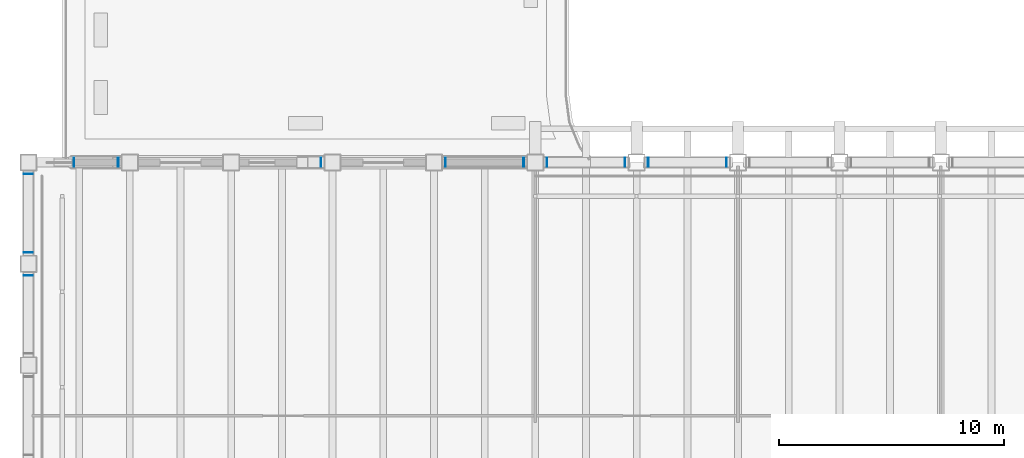
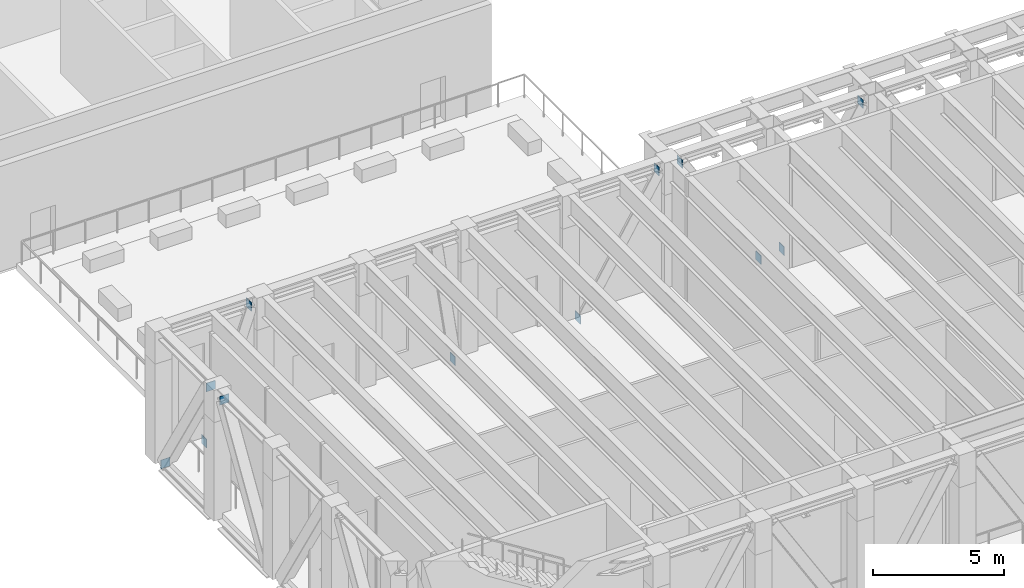
# One storey, part 7 of 20: 12 plates.
"""IFC4 building model written with IfcOpenShell, lengths in metres."""

from ifc_helpers import new_model, si_unit, direction, frame, origin, origin_2d, place, context, subcontext, project, spatial, rectangle, extrude, material, layer, layer_set, type_object, element, save


model = new_model("IFC4")

# Units and contexts
model_context = context("Model", 3, precision=1e-05, world=origin(), true_north=direction((0.0, 1.0)))
body_context = subcontext(model_context, "Body", "Model", "MODEL_VIEW")
ifc_project = project(units=[si_unit("LENGTHUNIT", "METRE"), si_unit("AREAUNIT", "SQUARE_METRE"), si_unit("VOLUMEUNIT", "CUBIC_METRE"), si_unit("PLANEANGLEUNIT", "RADIAN"), si_unit("MASSUNIT", "GRAM", prefix="KILO")], contexts=[model_context])

# Site, building, storey
site_placement = place(None, origin())
site = spatial("IfcSite", under=ifc_project, at=site_placement, CompositionType="ELEMENT")
building_placement = place(site_placement, origin())
building = spatial("IfcBuilding", under=site, at=building_placement, Name="Sennacour Bend Tower", CompositionType="ELEMENT")
storey_placement = place(building_placement, frame((0.0, 0.0, 243.0)))
storey = spatial("IfcBuildingStorey", under=building, at=storey_placement, Name="L56", CompositionType="ELEMENT", Elevation=243.0)

# Plates
ifc_material = material(Name="Steel ASTM A572 Grade 50", Category="steel")
ifc_layer = layer(ifc_material, 0.02490234375, Name="Steel ASTM A572 Grade 50", Category="steel")
ifc_layer_set = layer_set([ifc_layer], Name="Steel ASTM A572 Grade 50")
plate_type = type_object("IfcPlateType", Name="Connection end plate 25", PredefinedType="USERDEFINED", material=ifc_layer_set)
for number, where, z_axis, x_axis, name in (
    (1, (0.0, 17.487548828125, 5.195068359375), (0.0, 0.0, 1.0), (0.0, 1.0, 0.0), "Connection end plate CEP 25"),
    (2, (0.0, 18.512451171875, 5.195068359375), (0.0, 0.0, 1.0), (0.0, -1.0, 0.0), "Connection end plate CEP 25"),
    (3, (0.0, 21.987548828125, -0.5), (0.0, 0.0, 1.0), (0.0, 1.0, 0.0), "Connection end plate CEP 25"),
    (4, (2.012451171875, 22.5, -0.5), (0.0, 0.0, 1.0), (-1.0, 0.0, 0.0), "Connection end plate CEP 25"),
    (5, (3.987548828125, 22.5, 5.195068359375), (0.0, 0.0, 1.0), (1.0, 0.0, 0.0), "Connection end plate CEP 25"),
    (6, (12.987548828125, 22.5, -0.5), (0.0, 0.0, 1.0), (1.0, 0.0, 0.0), "Connection end plate CEP 25"),
    (7, (18.512451171875, 22.5, -0.5), (0.0, 0.0, 1.0), (-1.0, 0.0, 0.0), "Connection end plate CEP 25"),
    (8, (21.987548828125, 22.5, 5.195068359375), (0.0, 0.0, 1.0), (1.0, 0.0, 0.0), "Connection end plate CEP 25"),
    (9, (23.012451171875, 22.5, 5.195068359375), (0.0, 0.0, 1.0), (-1.0, 0.0, 0.0), "Connection end plate CEP 25"),
    (10, (26.487548828125, 22.5, -0.5), (0.0, 0.0, 1.0), (1.0, 0.0, 0.0), "Connection end plate CEP 25"),
    (11, (27.512451171875, 22.5, -0.449951171875), (0.0, 0.0, 1.0), (-1.0, 0.0, 0.0), "Connection end plate CEP 25"),
    (12, (30.987548828125, 22.5, 5.195068359375), (0.0, 0.0, 1.0), (1.0, 0.0, 0.0), "Connection end plate CEP 25"),
):
    element("IfcPlate", number, at=place(storey_placement, frame(where, z_axis=z_axis, x_axis=x_axis)), inside=storey, type_object=plate_type, Name=name, ObjectType="END PLATE", PredefinedType="USERDEFINED", context=body_context, shape_type="SweptSolid", body=[
        extrude(rectangle(XDim=0.02490234375, YDim=0.39990234375, at=origin_2d()), origin(), (0.0, 0.0, 1.0), 0.39990234375),
    ])

save(model, "model.ifc")
